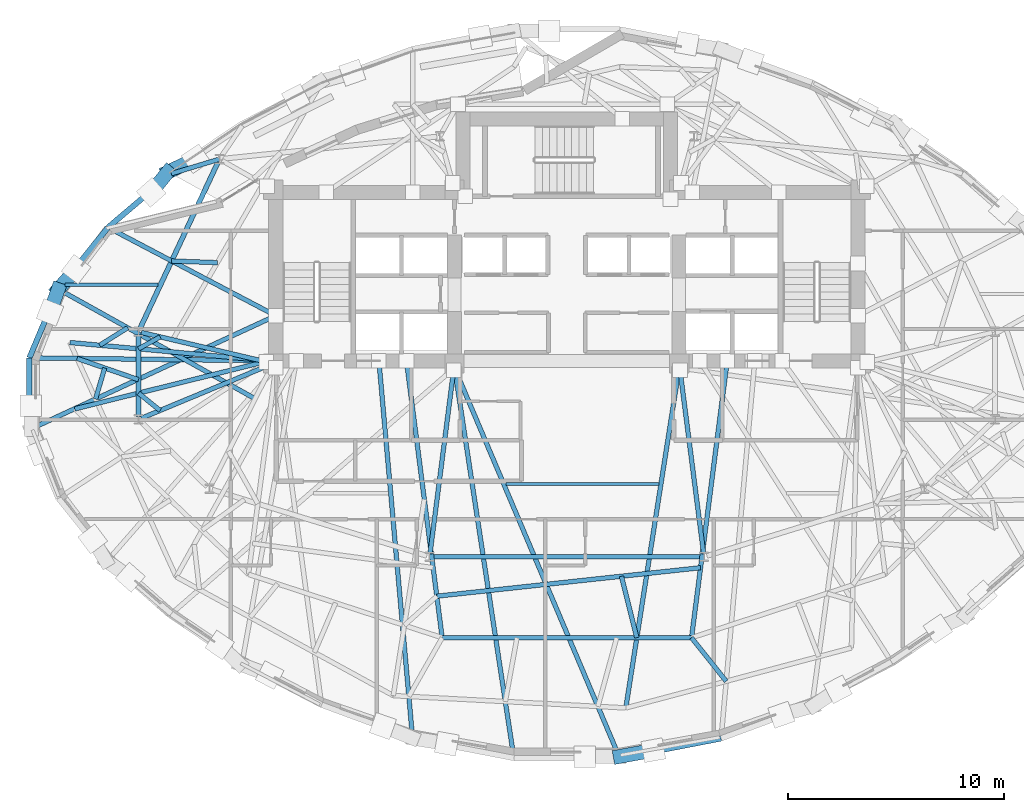
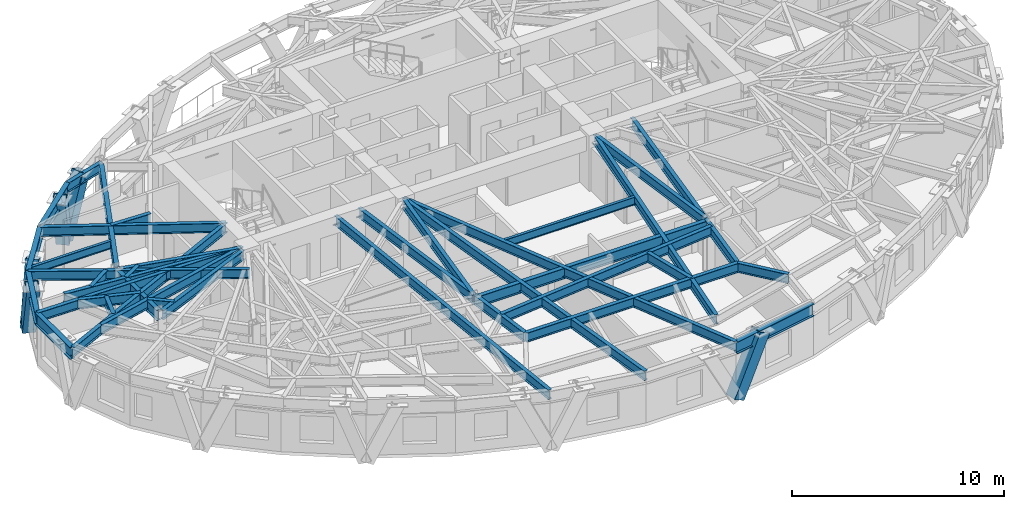
# One storey, part 2 of 14: 37 beams, 5 members.
"""IFC4 building model written with IfcOpenShell, lengths in metres."""

from ifc_helpers import new_model, si_unit, direction, frame, origin, origin_2d, place, context, subcontext, project, spatial, hollow_rectangle, i_section, extrude, material, material_profile, profile_set, type_object, element, save


model = new_model("IFC4")

# Units and contexts
model_context = context("Model", 3, precision=1e-05, world=origin(), true_north=direction((0.0, 1.0)))
body_context = subcontext(model_context, "Body", "Model", "MODEL_VIEW")
ifc_project = project(units=[si_unit("LENGTHUNIT", "METRE"), si_unit("AREAUNIT", "SQUARE_METRE"), si_unit("VOLUMEUNIT", "CUBIC_METRE"), si_unit("PLANEANGLEUNIT", "RADIAN"), si_unit("MASSUNIT", "GRAM", prefix="KILO")], contexts=[model_context])

# Site, building, storey
site_placement = place(None, origin())
site = spatial("IfcSite", under=ifc_project, at=site_placement, CompositionType="ELEMENT")
building_placement = place(site_placement, origin())
building = spatial("IfcBuilding", under=site, at=building_placement, Name="Keldmark Tower", CompositionType="ELEMENT")
storey_placement = place(building_placement, frame((0.0, 0.0, 175.800048828125)))
storey = spatial("IfcBuildingStorey", under=building, at=storey_placement, Name="L48", CompositionType="ELEMENT", Elevation=175.800048828125)

# Beams
ifc_material_1 = material(Name="Steel ASTM A992 Grade 50", Category="steel")
ifc_material_profile_1 = material_profile(ifc_material_1, i_section(OverallWidth=0.153076171875, OverallDepth=0.455078125, WebThickness=0.008056640625, FlangeThickness=0.01318359375, at=origin_2d()), Name="W18X40")
ifc_profile_set_1 = profile_set([ifc_material_profile_1], Name="Steel ASTM A992 Grade 50")
beam_type_1 = type_object("IfcBeamType", Name="Composite Floor Joist W18X40", PredefinedType="JOIST", material=ifc_profile_set_1)
beam_1_placement = place(storey_placement, frame((-2.81689453125, -4.179931640625, 2.79248046875), z_axis=(1.0, 0.0, 0.0), x_axis=(0.0, 1.0, 0.0)))
element("IfcBeam", 1, at=beam_1_placement, inside=storey, type_object=beam_type_1, Name="L48 Composite Floor Joist J02", PredefinedType="JOIST", context=body_context, shape_type="SweptSolid", body=[
    extrude(i_section(OverallWidth=0.153076171875, OverallDepth=0.455078125, WebThickness=0.008056640625, FlangeThickness=0.01318359375, at=origin_2d()), origin(), (0.0, 0.0, 1.0), 7.075439453125),
])
beam_2_placement = place(storey_placement, frame((-23.223388671875, 5.0400390625, 2.79248046875), z_axis=(1.0, 0.0, 0.0), x_axis=(0.0, 1.0, 0.0)))
element("IfcBeam", 2, at=beam_2_placement, inside=storey, type_object=beam_type_1, Name="L48 Composite Floor Joist J04", PredefinedType="JOIST", context=body_context, shape_type="SweptSolid", body=[
    extrude(i_section(OverallWidth=0.153076171875, OverallDepth=0.455078125, WebThickness=0.008056640625, FlangeThickness=0.01318359375, at=origin_2d()), origin(), (0.0, 0.0, 1.0), 4.295654296875),
])

# Members
ifc_material_2 = material(Name="Steel ASTM A572 Grade 50", Category="steel")
ifc_material_profile_2 = material_profile(ifc_material_2, hollow_rectangle(XDim=0.64990234375, YDim=0.64990234375, WallThickness=0.0400390625, at=origin_2d()), Name="BOX650X650X40")
ifc_profile_set_2 = profile_set([ifc_material_profile_2], Name="Steel ASTM A572 Grade 50")
member_type = type_object("IfcMemberType", Name="Diagrid Zone 3 Brace BOX650X650X40", PredefinedType="BRACE", material=ifc_profile_set_2)
member_1_placement = place(storey_placement, frame((-18.478271484375, 10.2548828125, -0.260009765625), z_axis=(0.374907945302, 0.180217181353, 0.909376599707), x_axis=(-0.433241667127, 0.90127779173, 0.0)))
element("IfcMember", 3, at=member_1_placement, inside=storey, type_object=member_type, Name="L48 Perimeter Diagrid Brace 06B", PredefinedType="BRACE", context=body_context, shape_type="SweptSolid", body=[
    extrude(hollow_rectangle(XDim=0.64990234375, YDim=0.64990234375, WallThickness=0.0400390625, at=origin_2d()), origin(), (0.0, 0.0, 1.0), 3.474853515625),
])
member_2_placement = place(storey_placement, frame((-18.469970703125, 10.26318359375, -0.260009765625), z_axis=(-0.227142280922, -0.279116125588, 0.933006201831), x_axis=(0.775623580576, -0.631195739255, 0.0)))
element("IfcMember", 4, at=member_2_placement, inside=storey, type_object=member_type, Name="L48 Perimeter Diagrid Brace 07A", PredefinedType="BRACE", context=body_context, shape_type="SweptSolid", body=[
    extrude(hollow_rectangle(XDim=0.64990234375, YDim=0.64990234375, WallThickness=0.0400390625, at=origin_2d()), origin(), (0.0, 0.0, 1.0), 3.38671875),
])
member_3_placement = place(storey_placement, frame((-23.548828125, 4.8251953125, -0.260009765625), z_axis=(0.243983108879, 0.276231685826, 0.929606528768), x_axis=(-0.749502219327, 0.662001830227, 0.0)))
element("IfcMember", 5, at=member_3_placement, inside=storey, type_object=member_type, Name="L48 Perimeter Diagrid Brace 07B", PredefinedType="BRACE", context=body_context, shape_type="SweptSolid", body=[
    extrude(hollow_rectangle(XDim=0.64990234375, YDim=0.64990234375, WallThickness=0.0400390625, at=origin_2d()), origin(), (0.0, 0.0, 1.0), 3.399169921875),
])
member_4_placement = place(storey_placement, frame((-23.54443359375, 4.836181640625, -0.260009765625), z_axis=(-0.113966039692, -0.319439250284, 0.94072860442), x_axis=(0.941853373984, -0.336024138887, 0.0)))
element("IfcMember", 6, at=member_4_placement, inside=storey, type_object=member_type, Name="L48 Perimeter Diagrid Brace 08A", PredefinedType="BRACE", context=body_context, shape_type="SweptSolid", body=[
    extrude(hollow_rectangle(XDim=0.64990234375, YDim=0.64990234375, WallThickness=0.0400390625, at=origin_2d()), origin(), (0.0, 0.0, 1.0), 3.35888671875),
])
member_5_placement = place(storey_placement, frame((2.442138671875, -16.7900390625, -0.260009765625), z_axis=(0.442504121527, 0.081214307038, 0.89308137298), x_axis=(-0.18051829183, 0.983571627445, 0.0)))
element("IfcMember", 7, at=member_5_placement, inside=storey, type_object=member_type, Name="L48 Perimeter Diagrid Brace 13A", PredefinedType="BRACE", context=body_context, shape_type="SweptSolid", body=[
    extrude(hollow_rectangle(XDim=0.64990234375, YDim=0.64990234375, WallThickness=0.0400390625, at=origin_2d()), origin(), (0.0, 0.0, 1.0), 3.538330078125),
])

# Beams
ifc_material_3 = material(Name="Steel ASTM A992 Grade 50", Category="steel")
ifc_material_profile_3 = material_profile(ifc_material_3, i_section(OverallWidth=0.22900390625, OverallDepth=0.612060546875, WebThickness=0.011962890625, FlangeThickness=0.01953125, at=origin_2d()), Name="W24X84")
ifc_profile_set_3 = profile_set([ifc_material_profile_3], Name="Steel ASTM A992 Grade 50")
beam_type_2 = type_object("IfcBeamType", Name="Primary Floor Girder W24X84", PredefinedType="BEAM", material=ifc_profile_set_3)
beam_3_placement = place(storey_placement, frame((-16.140869140625, 10.734130859375, 2.7138671875), z_axis=(-0.424526823774, -0.905415360979, 0.0), x_axis=(0.905415360979, -0.424526823774, 0.0)))
element("IfcBeam", 8, at=beam_3_placement, inside=storey, type_object=beam_type_2, Name="L48 Floor Ring Girder FG-R05", PredefinedType="BEAM", context=body_context, shape_type="SweptSolid", body=[
    extrude(i_section(OverallWidth=0.22900390625, OverallDepth=0.612060546875, WebThickness=0.011962890625, FlangeThickness=0.01953125, at=origin_2d()), origin(), (0.0, 0.0, 1.0), 8.54638671875),
])
beam_4_placement = place(storey_placement, frame((-19.828369140625, 2.729248046875, 2.7138671875), z_axis=(0.0, -1.0, 0.0), x_axis=(1.0, 0.0, 0.0)))
element("IfcBeam", 9, at=beam_4_placement, inside=storey, type_object=beam_type_2, Name="L48 Floor Ring Girder FG-R06", PredefinedType="BEAM", context=body_context, shape_type="SweptSolid", body=[
    extrude(i_section(OverallWidth=0.22900390625, OverallDepth=0.612060546875, WebThickness=0.011962890625, FlangeThickness=0.01953125, at=origin_2d()), origin(), (0.0, 0.0, 1.0), 3.778564453125),
])
beam_5_placement = place(storey_placement, frame((-6.211181640625, -7.546142578125, 2.7138671875), z_axis=(1.0, 0.0, 0.0), x_axis=(0.0, 1.0, 0.0)))
element("IfcBeam", 10, at=beam_5_placement, inside=storey, type_object=beam_type_2, Name="L48 Floor Ring Girder FG-R09", PredefinedType="BEAM", context=body_context, shape_type="SweptSolid", body=[
    extrude(i_section(OverallWidth=0.22900390625, OverallDepth=0.612060546875, WebThickness=0.011962890625, FlangeThickness=0.01953125, at=origin_2d()), origin(), (0.0, 0.0, 1.0), 12.42236328125),
])
ifc_material_4 = material(Name="Steel ASTM A992 Grade 50", Category="steel")
ifc_material_profile_4 = material_profile(ifc_material_4, i_section(OverallWidth=0.2099609375, OverallDepth=0.537109375, WebThickness=0.010986328125, FlangeThickness=0.017333984375, at=origin_2d()), Name="W21X68")
ifc_profile_set_4 = profile_set([ifc_material_profile_4], Name="Steel ASTM A992 Grade 50")
beam_type_3 = type_object("IfcBeamType", Name="Radial Tie Girder W21X68", PredefinedType="BEAM", material=ifc_profile_set_4)
beam_6_placement = place(storey_placement, frame((-19.692138671875, 2.837158203125, 2.75146484375), z_axis=(0.973280062348, -0.229621253887, 0.0), x_axis=(0.229621253887, 0.973280062348, 0.0)))
element("IfcBeam", 11, at=beam_6_placement, inside=storey, type_object=beam_type_3, Name="L48 Floor Radial Girder FG-C06", PredefinedType="BEAM", context=body_context, shape_type="SweptSolid", body=[
    extrude(i_section(OverallWidth=0.2099609375, OverallDepth=0.537109375, WebThickness=0.010986328125, FlangeThickness=0.017333984375, at=origin_2d()), origin(), (0.0, 0.0, 1.0), 5.939208984375),
])
beam_7_placement = place(storey_placement, frame((-19.69921875, -1.135498046875, 2.75146484375), z_axis=(0.923393794893, 0.383854008124, 0.0), x_axis=(-0.383854008124, 0.923393794893, 0.0)))
element("IfcBeam", 12, at=beam_7_placement, inside=storey, type_object=beam_type_3, Name="L48 Floor Radial Girder FG-C07", PredefinedType="BEAM", context=body_context, shape_type="SweptSolid", body=[
    extrude(i_section(OverallWidth=0.2099609375, OverallDepth=0.537109375, WebThickness=0.010986328125, FlangeThickness=0.017333984375, at=origin_2d()), origin(), (0.0, 0.0, 1.0), 6.28515625),
])
for number, where, z_axis, x_axis, name in (
    (13, (-6.333251953125, -7.4072265625, 2.75146484375), (0.127635577416, 0.991821132754, 0.0), (-0.991821132754, 0.127635577416, 0.0), "L48 Floor Radial Girder FG-C09"),
    (14, (6.333251953125, -7.4072265625, 2.75146484375), (-0.127635577416, 0.991821132754, 0.0), (-0.991821132754, -0.127635577416, 0.0), "L48 Floor Radial Girder FG-C10"),
):
    element("IfcBeam", number, at=place(storey_placement, frame(where, z_axis=z_axis, x_axis=x_axis)), inside=storey, type_object=beam_type_3, Name=name, PredefinedType="BEAM", context=body_context, shape_type="SweptSolid", body=[
        extrude(i_section(OverallWidth=0.2099609375, OverallDepth=0.537109375, WebThickness=0.010986328125, FlangeThickness=0.017333984375, at=origin_2d()), origin(), (0.0, 0.0, 1.0), 8.559814453125),
    ])
beam_8_placement = place(storey_placement, frame((-18.82861328125, -0.773681640625, 2.75146484375), z_axis=(-0.779845899285, 0.625971543577, 0.0), x_axis=(-0.625971543577, -0.779845899285, 0.0)))
element("IfcBeam", 15, at=beam_8_placement, inside=storey, type_object=beam_type_3, Name="L48 Framing Pin Header PH-003", PredefinedType="BEAM", context=body_context, shape_type="SweptSolid", body=[
    extrude(i_section(OverallWidth=0.2099609375, OverallDepth=0.537109375, WebThickness=0.010986328125, FlangeThickness=0.017333984375, at=origin_2d()), origin(), (0.0, 0.0, 1.0), 1.281982421875),
])
beam_9_placement = place(storey_placement, frame((-13.800048828125, 1.52490234375, 2.75146484375), z_axis=(-0.970554057255, -0.240883419823, 0.0), x_axis=(0.240883419823, -0.970554057255, 0.0)))
element("IfcBeam", 16, at=beam_9_placement, inside=storey, type_object=beam_type_3, Name="L48 Sub-Ring Step Girder STP1-M07", PredefinedType="BEAM", context=body_context, shape_type="SweptSolid", body=[
    extrude(i_section(OverallWidth=0.2099609375, OverallDepth=0.537109375, WebThickness=0.010986328125, FlangeThickness=0.017333984375, at=origin_2d()), origin(), (0.0, 0.0, 1.0), 9.25048828125),
])
beam_10_placement = place(storey_placement, frame((-7.425048828125, 1.52490234375, 2.75146484375), z_axis=(0.127934777685, -0.991782583361, 0.0), x_axis=(0.991782583361, 0.127934777685, 0.0)))
element("IfcBeam", 17, at=beam_10_placement, inside=storey, type_object=beam_type_3, Name="L48 Sub-Ring Step Girder STP1-M09", PredefinedType="BEAM", context=body_context, shape_type="SweptSolid", body=[
    extrude(i_section(OverallWidth=0.2099609375, OverallDepth=0.537109375, WebThickness=0.010986328125, FlangeThickness=0.017333984375, at=origin_2d()), origin(), (0.0, 0.0, 1.0), 12.925048828125),
])
beam_11_placement = place(storey_placement, frame((-6.01953125, -9.37109375, 2.75146484375), z_axis=(0.994220590211, 0.107356499573, 0.0), x_axis=(-0.107356499573, 0.994220590211, 0.0)))
element("IfcBeam", 18, at=beam_11_placement, inside=storey, type_object=beam_type_3, Name="L48 Framing Pin Header PH-006", PredefinedType="BEAM", context=body_context, shape_type="SweptSolid", body=[
    extrude(i_section(OverallWidth=0.2099609375, OverallDepth=0.537109375, WebThickness=0.010986328125, FlangeThickness=0.017333984375, at=origin_2d()), origin(), (0.0, 0.0, 1.0), 12.2802734375),
])
beam_12_placement = place(storey_placement, frame((7.425048828125, 1.52490234375, 2.75146484375), z_axis=(-0.127934777685, -0.991782583361, 0.0), x_axis=(0.991782583361, -0.127934777685, 0.0)))
element("IfcBeam", 19, at=beam_12_placement, inside=storey, type_object=beam_type_3, Name="L48 Sub-Ring Step Girder STP1-M10", PredefinedType="BEAM", context=body_context, shape_type="SweptSolid", body=[
    extrude(i_section(OverallWidth=0.2099609375, OverallDepth=0.537109375, WebThickness=0.010986328125, FlangeThickness=0.017333984375, at=origin_2d()), origin(), (0.0, 0.0, 1.0), 12.925048828125),
])
beam_13_placement = place(storey_placement, frame((-5.771484375, -11.2939453125, 2.75146484375), z_axis=(1.0, 0.0, 0.0), x_axis=(0.0, 1.0, 0.0)))
element("IfcBeam", 20, at=beam_13_placement, inside=storey, type_object=beam_type_3, Name="L48 Perimeter Collector Ring Beam CRG1-M09", PredefinedType="BEAM", context=body_context, shape_type="SweptSolid", body=[
    extrude(i_section(OverallWidth=0.2099609375, OverallDepth=0.537109375, WebThickness=0.010986328125, FlangeThickness=0.017333984375, at=origin_2d()), origin(), (0.0, 0.0, 1.0), 11.54296875),
])
beam_14_placement = place(storey_placement, frame((-18.824951171875, 2.632568359375, 2.75146484375), z_axis=(-0.875630504015, -0.482981594307, 0.0), x_axis=(0.482981594307, -0.875630504015, 0.0)))
element("IfcBeam", 21, at=beam_14_placement, inside=storey, type_object=beam_type_3, Name="L48 Framing Pin Header PH-009", PredefinedType="BEAM", context=body_context, shape_type="SweptSolid", body=[
    extrude(i_section(OverallWidth=0.2099609375, OverallDepth=0.537109375, WebThickness=0.010986328125, FlangeThickness=0.017333984375, at=origin_2d()), origin(), (0.0, 0.0, 1.0), 1.14599609375),
])
beam_15_placement = place(storey_placement, frame((-13.800048828125, 1.52490234375, 2.75146484375), z_axis=(-0.995798935412, 0.091566807476, 0.0), x_axis=(-0.091566807476, -0.995798935412, 0.0)))
element("IfcBeam", 22, at=beam_15_placement, inside=storey, type_object=beam_type_3, Name="L48 Sub-Ring Step Girder STP2-M07", PredefinedType="BEAM", context=body_context, shape_type="SweptSolid", body=[
    extrude(i_section(OverallWidth=0.2099609375, OverallDepth=0.537109375, WebThickness=0.010986328125, FlangeThickness=0.017333984375, at=origin_2d()), origin(), (0.0, 0.0, 1.0), 9.243896484375),
])
beam_16_placement = place(storey_placement, frame((2.52685546875, -8.4482421875, 2.75146484375), z_axis=(0.2429272418, -0.970044511964, 0.0), x_axis=(0.970044511964, 0.2429272418, 0.0)))
element("IfcBeam", 23, at=beam_16_placement, inside=storey, type_object=beam_type_3, Name="L48 Framing Pin Header PH-012", PredefinedType="BEAM", context=body_context, shape_type="SweptSolid", body=[
    extrude(i_section(OverallWidth=0.2099609375, OverallDepth=0.537109375, WebThickness=0.010986328125, FlangeThickness=0.017333984375, at=origin_2d()), origin(), (0.0, 0.0, 1.0), 2.93359375),
])
beam_17_placement = place(storey_placement, frame((5.199951171875, 1.199951171875, 2.75146484375), z_axis=(-0.155003535514, -0.987913915267, 0.0), x_axis=(0.987913915267, -0.155003535514, 0.0)))
element("IfcBeam", 24, at=beam_17_placement, inside=storey, type_object=beam_type_3, Name="L48 Sub-Ring Step Girder STP2-M10", PredefinedType="BEAM", context=body_context, shape_type="SweptSolid", body=[
    extrude(i_section(OverallWidth=0.2099609375, OverallDepth=0.537109375, WebThickness=0.010986328125, FlangeThickness=0.017333984375, at=origin_2d()), origin(), (0.0, 0.0, 1.0), 15.9365234375),
])
beam_18_placement = place(storey_placement, frame((-16.08154296875, 10.861083984375, 2.75146484375), z_axis=(-0.956926395246, -0.290330628908, 0.0), x_axis=(0.290330628908, -0.956926395246, 0.0)))
element("IfcBeam", 25, at=beam_18_placement, inside=storey, type_object=beam_type_3, Name="L48 Perimeter Column Bracket RT-13", PredefinedType="BEAM", context=body_context, shape_type="SweptSolid", body=[
    extrude(i_section(OverallWidth=0.2099609375, OverallDepth=0.537109375, WebThickness=0.010986328125, FlangeThickness=0.017333984375, at=origin_2d()), origin(), (0.0, 0.0, 1.0), 2.326904296875),
])
beam_19_placement = place(storey_placement, frame((-16.178955078125, 6.067138671875, 2.75146484375), z_axis=(-0.999295722851, 0.037524102822, 0.0), x_axis=(-0.037524102822, -0.999295722851, 0.0)))
element("IfcBeam", 26, at=beam_19_placement, inside=storey, type_object=beam_type_3, Name="L48 Framing Pin Header PH-024", PredefinedType="BEAM", context=body_context, shape_type="SweptSolid", body=[
    extrude(i_section(OverallWidth=0.2099609375, OverallDepth=0.537109375, WebThickness=0.010986328125, FlangeThickness=0.017333984375, at=origin_2d()), origin(), (0.0, 0.0, 1.0), 2.114501953125),
])
beam_20_placement = place(storey_placement, frame((-13.47509765625, 3.6142578125, 2.75146484375), z_axis=(-0.885148690415, 0.46530828045, 0.0), x_axis=(-0.46530828045, -0.885148690415, 0.0)))
element("IfcBeam", 27, at=beam_20_placement, inside=storey, type_object=beam_type_3, Name="L48 Perimeter Radial Tie Girder RT-14", PredefinedType="BEAM", context=body_context, shape_type="SweptSolid", body=[
    extrude(i_section(OverallWidth=0.2099609375, OverallDepth=0.537109375, WebThickness=0.010986328125, FlangeThickness=0.017333984375, at=origin_2d()), origin(), (0.0, 0.0, 1.0), 8.773681640625),
])
beam_21_placement = place(storey_placement, frame((-21.62451171875, 2.244384765625, 2.75146484375), z_axis=(0.848231729083, 0.529625276753, 0.0), x_axis=(-0.529625276753, 0.848231729083, 0.0)))
element("IfcBeam", 28, at=beam_21_placement, inside=storey, type_object=beam_type_3, Name="L48 Framing Pin Header PH-025", PredefinedType="BEAM", context=body_context, shape_type="SweptSolid", body=[
    extrude(i_section(OverallWidth=0.2099609375, OverallDepth=0.537109375, WebThickness=0.010986328125, FlangeThickness=0.017333984375, at=origin_2d()), origin(), (0.0, 0.0, 1.0), 1.527099609375),
])
beam_22_placement = place(storey_placement, frame((-14.4296875, -0.232421875, 2.75146484375), z_axis=(-0.873646476689, 0.486561233319, 0.0), x_axis=(-0.486561233319, -0.873646476689, 0.0)))
element("IfcBeam", 29, at=beam_22_placement, inside=storey, type_object=beam_type_3, Name="L48 Perimeter Radial Tie Girder RT-15", PredefinedType="BEAM", context=body_context, shape_type="SweptSolid", body=[
    extrude(i_section(OverallWidth=0.2099609375, OverallDepth=0.537109375, WebThickness=0.010986328125, FlangeThickness=0.017333984375, at=origin_2d()), origin(), (0.0, 0.0, 1.0), 10.42578125),
])
beam_23_placement = place(storey_placement, frame((-19.828369140625, 0.651123046875, 2.75146484375), z_axis=(-0.945084474778, 0.32682615491, 0.0), x_axis=(-0.32682615491, -0.945084474778, 0.0)))
element("IfcBeam", 30, at=beam_23_placement, inside=storey, type_object=beam_type_3, Name="L48 Framing Pin Header PH-026", PredefinedType="BEAM", context=body_context, shape_type="SweptSolid", body=[
    extrude(i_section(OverallWidth=0.2099609375, OverallDepth=0.537109375, WebThickness=0.010986328125, FlangeThickness=0.017333984375, at=origin_2d()), origin(), (0.0, 0.0, 1.0), 3.00732421875),
])
beam_24_placement = place(storey_placement, frame((-13.800048828125, 1.52490234375, 2.75146484375), z_axis=(-0.999924394068, 0.012296590896, 0.0), x_axis=(-0.012296590896, -0.999924394068, 0.0)))
element("IfcBeam", 31, at=beam_24_placement, inside=storey, type_object=beam_type_3, Name="L48 Perimeter Radial Tie Girder RT-16", PredefinedType="BEAM", context=body_context, shape_type="SweptSolid", body=[
    extrude(i_section(OverallWidth=0.2099609375, OverallDepth=0.537109375, WebThickness=0.010986328125, FlangeThickness=0.017333984375, at=origin_2d()), origin(), (0.0, 0.0, 1.0), 11.07861328125),
])
beam_25_placement = place(storey_placement, frame((-21.3916015625, 1.191650390625, 2.75146484375), z_axis=(-0.284238067372, -0.958753733269, 0.0), x_axis=(0.958753733269, -0.284238067372, 0.0)))
element("IfcBeam", 32, at=beam_25_placement, inside=storey, type_object=beam_type_3, Name="L48 Framing Pin Header PH-027", PredefinedType="BEAM", context=body_context, shape_type="SweptSolid", body=[
    extrude(i_section(OverallWidth=0.2099609375, OverallDepth=0.537109375, WebThickness=0.010986328125, FlangeThickness=0.017333984375, at=origin_2d()), origin(), (0.0, 0.0, 1.0), 1.498779296875),
])
beam_26_placement = place(storey_placement, frame((-13.47509765625, 3.6142578125, 2.75146484375), z_axis=(-0.907579097053, -0.419881152938, 0.0), x_axis=(0.419881152938, -0.907579097053, 0.0)))
element("IfcBeam", 33, at=beam_26_placement, inside=storey, type_object=beam_type_3, Name="L48 Perimeter Radial Tie Girder RT-17", PredefinedType="BEAM", context=body_context, shape_type="SweptSolid", body=[
    extrude(i_section(OverallWidth=0.2099609375, OverallDepth=0.537109375, WebThickness=0.010986328125, FlangeThickness=0.017333984375, at=origin_2d()), origin(), (0.0, 0.0, 1.0), 12.56396484375),
])
beam_27_placement = place(storey_placement, frame((-8.699951171875, 1.52490234375, 2.75146484375), z_axis=(0.088872547544, -0.996043006247, 0.0), x_axis=(0.996043006247, 0.088872547544, 0.0)))
element("IfcBeam", 34, at=beam_27_placement, inside=storey, type_object=beam_type_3, Name="L48 Perimeter Radial Tie Girder RT-23", PredefinedType="BEAM", context=body_context, shape_type="SweptSolid", body=[
    extrude(i_section(OverallWidth=0.2099609375, OverallDepth=0.537109375, WebThickness=0.010986328125, FlangeThickness=0.017333984375, at=origin_2d()), origin(), (0.0, 0.0, 1.0), 17.551025390625),
])
beam_28_placement = place(storey_placement, frame((-5.199951171875, 1.199951171875, 2.75146484375), z_axis=(0.150481739594, -0.988612788734, 0.0), x_axis=(0.988612788734, 0.150481739594, 0.0)))
element("IfcBeam", 35, at=beam_28_placement, inside=storey, type_object=beam_type_3, Name="L48 Perimeter Radial Tie Girder RT-24", PredefinedType="BEAM", context=body_context, shape_type="SweptSolid", body=[
    extrude(i_section(OverallWidth=0.2099609375, OverallDepth=0.537109375, WebThickness=0.010986328125, FlangeThickness=0.017333984375, at=origin_2d()), origin(), (0.0, 0.0, 1.0), 18.27294921875),
])
beam_29_placement = place(storey_placement, frame((-5.199951171875, 1.199951171875, 2.75146484375), z_axis=(0.389955005029, -0.920833912306, 0.0), x_axis=(0.920833912306, 0.389955005029, 0.0)))
element("IfcBeam", 36, at=beam_29_placement, inside=storey, type_object=beam_type_3, Name="L48 Perimeter Radial Tie Girder RT-25", PredefinedType="BEAM", context=body_context, shape_type="SweptSolid", body=[
    extrude(i_section(OverallWidth=0.2099609375, OverallDepth=0.537109375, WebThickness=0.010986328125, FlangeThickness=0.017333984375, at=origin_2d()), origin(), (0.0, 0.0, 1.0), 19.617919921875),
])
beam_30_placement = place(storey_placement, frame((5.771484375, -11.2939453125, 2.75146484375), z_axis=(0.623341407933, -0.78194979964, 0.0), x_axis=(0.78194979964, 0.623341407933, 0.0)))
element("IfcBeam", 37, at=beam_30_placement, inside=storey, type_object=beam_type_3, Name="L48 Framing Pin Header PH-036", PredefinedType="BEAM", context=body_context, shape_type="SweptSolid", body=[
    extrude(i_section(OverallWidth=0.2099609375, OverallDepth=0.537109375, WebThickness=0.010986328125, FlangeThickness=0.017333984375, at=origin_2d()), origin(), (0.0, 0.0, 1.0), 2.5751953125),
])
ifc_material_5 = material(Name="Steel ASTM A992 Grade 50", Category="steel")
ifc_material_profile_5 = material_profile(ifc_material_5, i_section(OverallWidth=0.256103515625, OverallDepth=0.693115234375, WebThickness=0.014404296875, FlangeThickness=0.023681640625, at=origin_2d()), Name="W27X114")
ifc_profile_set_5 = profile_set([ifc_material_profile_5], Name="Steel ASTM A992 Grade 50")
beam_type_4 = type_object("IfcBeamType", Name="Spandrel Ring Beam W27X114", PredefinedType="SPANDREL", material=ifc_profile_set_5)
beam_31_placement = place(storey_placement, frame((-18.30810546875, 10.185546875, 2.67333984375), z_axis=(-0.762499647343, -0.646988630349, 0.0), x_axis=(0.646988630349, -0.762499647343, 0.0)))
element("IfcBeam", 38, at=beam_31_placement, inside=storey, type_object=beam_type_4, Name="L48 Perimeter Spandrel Ring Beam SRB-13", PredefinedType="SPANDREL", context=body_context, shape_type="SweptSolid", body=[
    extrude(i_section(OverallWidth=0.256103515625, OverallDepth=0.693115234375, WebThickness=0.014404296875, FlangeThickness=0.023681640625, at=origin_2d()), origin(), (0.0, 0.0, 1.0), 3.8466796875),
])
beam_32_placement = place(storey_placement, frame((-21.2412109375, 7.69677734375, 2.67333984375), z_axis=(-0.626642586146, -0.779306787618, 0.0), x_axis=(0.779306787618, -0.626642586146, 0.0)))
element("IfcBeam", 39, at=beam_32_placement, inside=storey, type_object=beam_type_4, Name="L48 Perimeter Spandrel Ring Beam SRB-14", PredefinedType="SPANDREL", context=body_context, shape_type="SweptSolid", body=[
    extrude(i_section(OverallWidth=0.256103515625, OverallDepth=0.693115234375, WebThickness=0.014404296875, FlangeThickness=0.023681640625, at=origin_2d()), origin(), (0.0, 0.0, 1.0), 3.665283203125),
])
beam_33_placement = place(storey_placement, frame((-23.5380859375, 4.84033203125, 2.67333984375), z_axis=(-0.388360687569, -0.9215074478, 0.0), x_axis=(0.9215074478, -0.388360687569, 0.0)))
element("IfcBeam", 40, at=beam_33_placement, inside=storey, type_object=beam_type_4, Name="L48 Perimeter Spandrel Ring Beam SRB-15", PredefinedType="SPANDREL", context=body_context, shape_type="SweptSolid", body=[
    extrude(i_section(OverallWidth=0.256103515625, OverallDepth=0.693115234375, WebThickness=0.014404296875, FlangeThickness=0.023681640625, at=origin_2d()), origin(), (0.0, 0.0, 1.0), 3.449951171875),
])
beam_34_placement = place(storey_placement, frame((-24.8779296875, 1.6611328125, 2.67333984375), z_axis=(0.0, -1.0, 0.0), x_axis=(1.0, 0.0, 0.0)))
element("IfcBeam", 41, at=beam_34_placement, inside=storey, type_object=beam_type_4, Name="L48 Perimeter Spandrel Ring Beam SRB-16", PredefinedType="SPANDREL", context=body_context, shape_type="SweptSolid", body=[
    extrude(i_section(OverallWidth=0.256103515625, OverallDepth=0.693115234375, WebThickness=0.014404296875, FlangeThickness=0.023681640625, at=origin_2d()), origin(), (0.0, 0.0, 1.0), 3.322265625),
])
beam_35_placement = place(storey_placement, frame((2.4501953125, -16.864990234375, 2.67333984375), z_axis=(0.981761392156, 0.190117250329, 0.0), x_axis=(-0.190117250329, 0.981761392156, 0.0)))
element("IfcBeam", 42, at=beam_35_placement, inside=storey, type_object=beam_type_4, Name="L48 Perimeter Spandrel Ring Beam SRB-25", PredefinedType="SPANDREL", context=body_context, shape_type="SweptSolid", body=[
    extrude(i_section(OverallWidth=0.256103515625, OverallDepth=0.693115234375, WebThickness=0.014404296875, FlangeThickness=0.023681640625, at=origin_2d()), origin(), (0.0, 0.0, 1.0), 4.777099609375),
])

save(model, "model.ifc")
